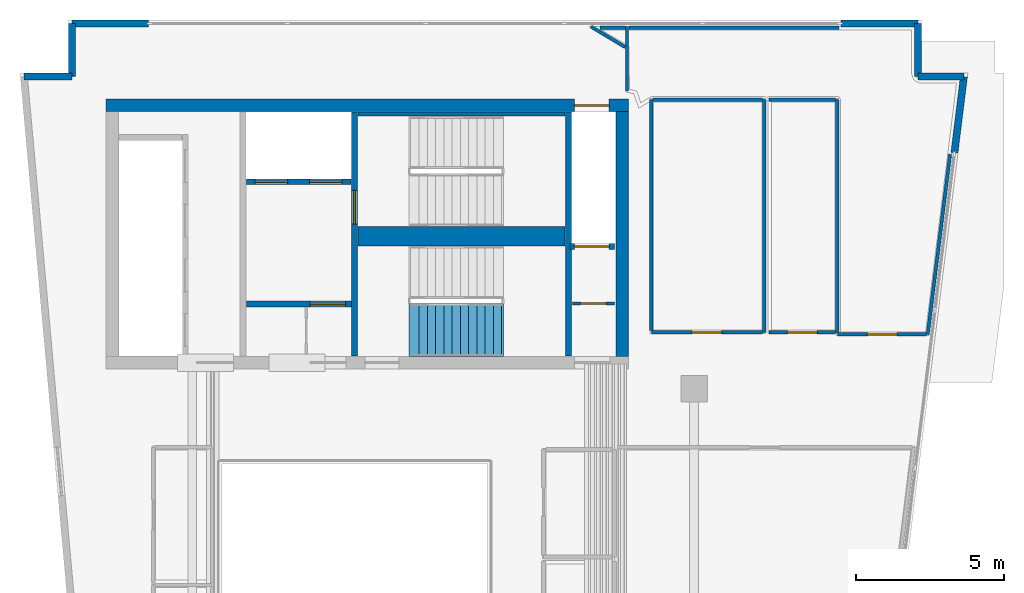
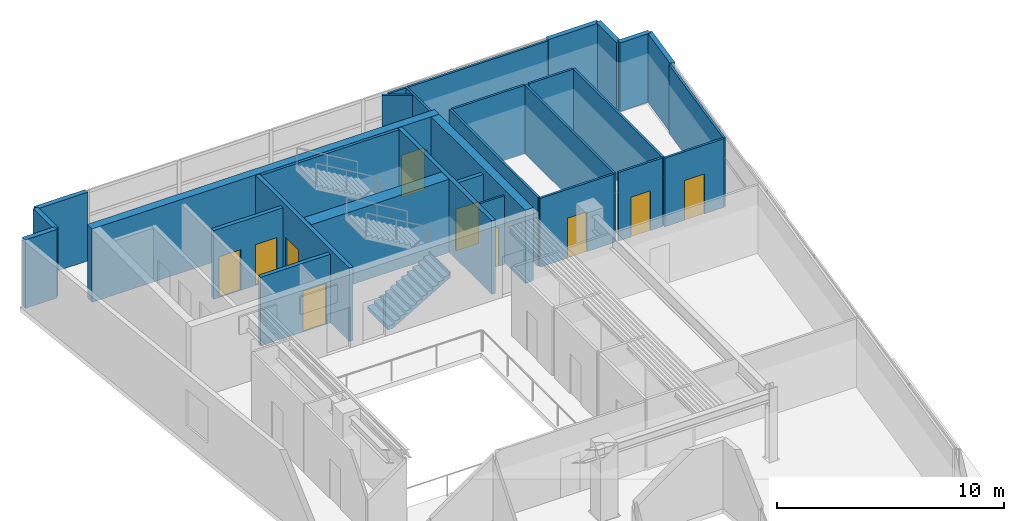
# One storey, part 5 of 8: 30 walls, 10 doors, 1 stair flight, 10 openings, 1 element without a shape of its own.
"""IFC4 building model written with IfcOpenShell, lengths in metres."""

from ifc_helpers import new_model, si_unit, direction, frame, frame_2d, origin, place, context, subcontext, project, spatial, polyline, rectangle, outline, extrude, material, layer, layer_set, type_object, element, fill, aggregate, save


model = new_model("IFC4")

# Units and contexts
model_context = context("Model", 3, precision=1e-05, world=origin(), true_north=direction((0.0, 1.0)))
body_context = subcontext(model_context, "Body", "Model", "MODEL_VIEW")
ifc_project = project(units=[si_unit("LENGTHUNIT", "METRE"), si_unit("AREAUNIT", "SQUARE_METRE"), si_unit("VOLUMEUNIT", "CUBIC_METRE"), si_unit("PLANEANGLEUNIT", "RADIAN"), si_unit("MASSUNIT", "GRAM", prefix="KILO")], contexts=[model_context])

# Site, building, storey
site_placement = place(None, origin())
site = spatial("IfcSite", under=ifc_project, at=site_placement, CompositionType="ELEMENT")
building_placement = place(site_placement, origin())
building = spatial("IfcBuilding", under=site, at=building_placement, Name="Caeloran Harvest Quay", CompositionType="ELEMENT")
storey_placement = place(building_placement, frame((0.0, 0.0, 256.699951171875)))
storey = spatial("IfcBuildingStorey", under=building, at=storey_placement, Name="L61", CompositionType="ELEMENT", Elevation=256.699951171875)

# Walls
ifc_material_1 = material(Name="Precast concrete C50/60", Category="concrete")
ifc_layer_1 = layer(ifc_material_1, 0.239990234375, Name="Precast concrete C50/60")
ifc_layer_set_1 = layer_set([ifc_layer_1], Name="Precast concrete C50/60")
wall_type_1 = type_object("IfcWallType", Name="ENV-WALL-EW-240", PredefinedType="STANDARD", material=ifc_layer_set_1)
wall_1_placement = place(storey_placement, frame((2.793212890625, 41.580078125, 0.0), z_axis=(0.0, 0.0, 1.0), x_axis=(1.0, 0.0, 0.0)))
element("IfcWall", 1, at=wall_1_placement, inside=storey, type_object=wall_type_1, Name="L61 Exterior Precast Concrete Facade Wall 4", PredefinedType="STANDARD", context=body_context, shape_type="SweptSolid", body=[
    extrude(rectangle(XDim=1.626708984375, YDim=0.239990234375, at=frame_2d((0.8134765625, 0.0))), origin(), (0.0, 0.0, 1.0), 3.699951171875),
])
wall_2_placement = place(storey_placement, frame((4.419921875, 41.580078125, 0.0), z_axis=(0.0, 0.0, 1.0), x_axis=(0.0, 1.0, 0.0)))
element("IfcWall", 2, at=wall_2_placement, inside=storey, type_object=wall_type_1, Name="L61 Exterior Precast Concrete Facade Wall 5", PredefinedType="STANDARD", context=body_context, shape_type="SweptSolid", body=[
    extrude(rectangle(XDim=1.7998046875, YDim=0.239990234375, at=frame_2d((0.89990234375, 0.0))), origin(), (0.0, 0.0, 1.0), 3.699951171875),
])
for number, where, z_axis, x_axis, name in (
    (3, (4.419921875, 43.3798828125, 0.0), (0.0, 0.0, 1.0), (1.0, 0.0, 0.0), "L61 Exterior Facade Corner Pier Wall 6A"),
    (4, (30.47998046875, 43.3798828125, 0.0), (0.0, 0.0, 1.0), (1.0, 0.0, 0.0), "L61 Exterior Facade Corner Pier Wall 6B"),
):
    element("IfcWall", number, at=place(storey_placement, frame(where, z_axis=z_axis, x_axis=x_axis)), inside=storey, type_object=wall_type_1, Name=name, PredefinedType="STANDARD", context=body_context, shape_type="SweptSolid", body=[
        extrude(rectangle(XDim=2.60009765625, YDim=0.239990234375, at=frame_2d((1.300048828125, 0.0))), origin(), (0.0, 0.0, 1.0), 3.699951171875),
    ])
wall_3_placement = place(storey_placement, frame((33.080078125, 43.3798828125, 0.0), z_axis=(0.0, 0.0, 1.0), x_axis=(0.0, -1.0, 0.0)))
element("IfcWall", 5, at=wall_3_placement, inside=storey, type_object=wall_type_1, Name="L61 Exterior Precast Concrete Facade Wall 7", PredefinedType="STANDARD", context=body_context, shape_type="SweptSolid", body=[
    extrude(rectangle(XDim=1.7998046875, YDim=0.239990234375, at=frame_2d((0.89990234375, 0.0))), origin(), (0.0, 0.0, 1.0), 3.699951171875),
])
wall_4_placement = place(storey_placement, frame((33.080078125, 41.580078125, 0.0), z_axis=(0.0, 0.0, 1.0), x_axis=(1.0, 0.0, 0.0)))
element("IfcWall", 6, at=wall_4_placement, inside=storey, type_object=wall_type_1, Name="L61 Exterior Precast Concrete Facade Wall 8", PredefinedType="STANDARD", context=body_context, shape_type="SweptSolid", body=[
    extrude(rectangle(XDim=1.560791015625, YDim=0.239990234375, at=frame_2d((0.7802734375, 0.0))), origin(), (0.0, 0.0, 1.0), 3.699951171875),
])
wall_5_placement = place(storey_placement, frame((34.640869140625, 41.580078125, 0.0), z_axis=(0.0, 0.0, 1.0), x_axis=(-0.123191073593, -0.992382970121, 0.0)))
element("IfcWall", 7, at=wall_5_placement, inside=storey, type_object=wall_type_1, Name="L61 Exterior Facade Corner Pier Wall 9A", PredefinedType="STANDARD", context=body_context, shape_type="SweptSolid", body=[
    extrude(rectangle(XDim=2.60009765625, YDim=0.239990234375, at=frame_2d((1.300048828125, 0.0))), origin(), (0.0, 0.0, 1.0), 3.699951171875),
])

# Wall, opening, door
ifc_material_2 = material(Name="Fire-Resisting Gypsum Core Riser Partition", Category="gypsum")
ifc_layer_2 = layer(ifc_material_2, 0.10009765625, Name="Fire-Resisting Gypsum Core Riser Partition")
ifc_layer_set_2 = layer_set([ifc_layer_2], Name="Fire-Resisting Gypsum Core Riser Partition")
wall_type_2 = type_object("IfcWallType", Name="INT-WALL-PW-100", PredefinedType="PARTITIONING", material=ifc_layer_set_2)
wall_6_placement = place(storey_placement, frame((21.3798828125, 33.889892578125, 0.0), z_axis=(0.0, 0.0, 1.0), x_axis=(1.0, 0.0, 0.0)))
wall_6 = element("IfcWall", 8, at=wall_6_placement, inside=storey, type_object=wall_type_2, Name="L61 Cleaner Store Partition Wall", PredefinedType="PARTITIONING", context=body_context, shape_type="SweptSolid", body=[
    extrude(rectangle(XDim=1.420166015625, YDim=0.10009765625, at=frame_2d((0.7099609375, 0.0))), origin(), (0.0, 0.0, 1.0), 3.699951171875),
])
opening_1_placement = place(wall_6_placement, frame((0.280029296875, 0.0, 0.0)))
opening_1 = element("IfcOpeningElement", 9, at=opening_1_placement, cuts=wall_6, Name="Opening SV-01", PredefinedType="OPENING", context=body_context, shape_type="SweptSolid", body=[
    extrude(rectangle(XDim=0.85009765625, YDim=2.10009765625, at=frame_2d((0.425048828125, 1.050048828125))), frame((0.0, 0.06005859375, 0.0), z_axis=(0.0, -1.0, 0.0), x_axis=(1.0, 0.0, 0.0)), (0.0, 0.0, 1.0), 0.1201171875),
])
ifc_material_3 = material(Name="Galvanized Painted Steel", Category="steel")
door_type_1 = type_object("IfcDoorType", Name="INTDOOR-SV-01", OperationType="NOTDEFINED", PredefinedType="DOOR", material=ifc_material_3)
door_1_placement = place(opening_1_placement, origin())
door_1 = element("IfcDoor", 10, at=door_1_placement, inside=storey, type_object=door_type_1, Name="L61 Cleaner Supply Store Access Door", OperationType="SINGLE_SWING_RIGHT", OverallHeight=2.10009765625, OverallWidth=0.85009765625, PredefinedType="DOOR", context=body_context, shape_type="SweptSolid", body=[
    extrude(rectangle(XDim=0.85009765625, YDim=2.10009765625, at=frame_2d((0.425048828125, 1.050048828125))), frame((0.0, 0.02490234375, 0.0), z_axis=(0.0, -1.0, 0.0), x_axis=(1.0, 0.0, 0.0)), (0.0, 0.0, 1.0), 0.050048828125),
])
fill(opening_1, door_1)

# Wall
ifc_material_4 = material(Name="Single-Stud Acoustic Gypsum Office Partition", Category="gypsum")
ifc_layer_3 = layer(ifc_material_4, 0.112060546875, Name="Single-Stud Acoustic Gypsum Office Partition")
ifc_layer_set_3 = layer_set([ifc_layer_3], Name="Single-Stud Acoustic Gypsum Office Partition")
wall_type_3 = type_object("IfcWallType", Name="INT-WALL-PW-112", PredefinedType="PARTITIONING", material=ifc_layer_set_3)
wall_7_placement = place(storey_placement, frame((27.8798828125, 40.800048828125, 0.0), z_axis=(0.0, 0.0, 1.0), x_axis=(0.0, -1.0, 0.0)))
element("IfcWall", 11, at=wall_7_placement, inside=storey, type_object=wall_type_3, Name="L61 Crop Phenotyping West Laboratory Partition Wall", PredefinedType="PARTITIONING", context=body_context, shape_type="SweptSolid", body=[
    extrude(rectangle(XDim=7.880126953125, YDim=0.112060546875, at=frame_2d((3.93994140625, 0.0))), origin(), (0.0, 0.0, 1.0), 3.699951171875),
])

# Wall, opening, door
wall_8_placement = place(storey_placement, frame((27.819091796875, 32.919921875, 0.0), z_axis=(0.0, 0.0, 1.0), x_axis=(-1.0, 0.0, 0.0)))
wall_8 = element("IfcWall", 12, at=wall_8_placement, inside=storey, type_object=wall_type_3, Name="L61 Crop Phenotyping West Laboratory Partition Wall", PredefinedType="PARTITIONING", context=body_context, shape_type="SweptSolid", body=[
    extrude(rectangle(XDim=3.76904296875, YDim=0.112060546875, at=frame_2d((1.884521484375, 0.0))), origin(), (0.0, 0.0, 1.0), 3.699951171875),
])
opening_2_placement = place(wall_8_placement, frame((1.384521484375, 0.0, 0.0)))
opening_2 = element("IfcOpeningElement", 13, at=opening_2_placement, cuts=wall_8, Name="Opening ID-01", PredefinedType="OPENING", context=body_context, shape_type="SweptSolid", body=[
    extrude(rectangle(XDim=1.0, YDim=2.14990234375, at=frame_2d((0.5, 1.074951171875))), frame((0.0, 0.06591796875, 0.0), z_axis=(0.0, -1.0, 0.0), x_axis=(1.0, 0.0, 0.0)), (0.0, 0.0, 1.0), 0.132080078125),
])
ifc_material_5 = material(Name="FSC Solid-Core Ash Timber and Acoustic Seal", Category="wood")
door_type_2 = type_object("IfcDoorType", Name="INTDOOR-ID-01", OperationType="NOTDEFINED", PredefinedType="DOOR", material=ifc_material_5)
door_2_placement = place(opening_2_placement, origin())
door_2 = element("IfcDoor", 14, at=door_2_placement, inside=storey, type_object=door_type_2, Name="L61 Crop Phenotyping West Laboratory Access Door", OperationType="SINGLE_SWING_RIGHT", OverallHeight=2.14990234375, OverallWidth=1.0, PredefinedType="DOOR", context=body_context, shape_type="SweptSolid", body=[
    extrude(rectangle(XDim=1.0, YDim=2.14990234375, at=frame_2d((0.5, 1.074951171875))), frame((0.0, 0.02490234375, 0.0), z_axis=(0.0, -1.0, 0.0), x_axis=(1.0, 0.0, 0.0)), (0.0, 0.0, 1.0), 0.050048828125),
])
fill(opening_2, door_2)

# Walls
wall_9_placement = place(storey_placement, frame((24.050048828125, 32.98095703125, 0.0), z_axis=(0.0, 0.0, 1.0), x_axis=(0.0, 1.0, 0.0)))
element("IfcWall", 15, at=wall_9_placement, inside=storey, type_object=wall_type_3, Name="L61 Crop Phenotyping West Laboratory Partition Wall", PredefinedType="PARTITIONING", context=body_context, shape_type="SweptSolid", body=[
    extrude(rectangle(XDim=7.819091796875, YDim=0.112060546875, at=frame_2d((3.90966796875, 0.0))), origin(), (0.0, 0.0, 1.0), 3.699951171875),
])
wall_10_placement = place(storey_placement, frame((24.111083984375, 40.800048828125, 0.0), z_axis=(0.0, 0.0, 1.0), x_axis=(1.0, 0.0, 0.0)))
element("IfcWall", 16, at=wall_10_placement, inside=storey, type_object=wall_type_3, Name="L61 Crop Phenotyping West Laboratory Partition Wall", PredefinedType="PARTITIONING", context=body_context, shape_type="SweptSolid", body=[
    extrude(rectangle(XDim=3.7080078125, YDim=0.112060546875, at=frame_2d((1.85400390625, 0.0))), origin(), (0.0, 0.0, 1.0), 3.699951171875),
])
wall_11_placement = place(storey_placement, frame((30.35009765625, 40.800048828125, 0.0), z_axis=(0.0, 0.0, 1.0), x_axis=(0.0, -1.0, 0.0)))
element("IfcWall", 17, at=wall_11_placement, inside=storey, type_object=wall_type_3, Name="L61 Genomics Sequencing East Studio Partition Wall", PredefinedType="PARTITIONING", context=body_context, shape_type="SweptSolid", body=[
    extrude(rectangle(XDim=7.880126953125, YDim=0.112060546875, at=frame_2d((3.93994140625, 0.0))), origin(), (0.0, 0.0, 1.0), 3.699951171875),
])

# Wall, opening, door
wall_12_placement = place(storey_placement, frame((30.2890625, 32.919921875, 0.0), z_axis=(0.0, 0.0, 1.0), x_axis=(-1.0, 0.0, 0.0)))
wall_12 = element("IfcWall", 18, at=wall_12_placement, inside=storey, type_object=wall_type_3, Name="L61 Genomics Sequencing East Studio Partition Wall", PredefinedType="PARTITIONING", context=body_context, shape_type="SweptSolid", body=[
    extrude(rectangle(XDim=2.2490234375, YDim=0.112060546875, at=frame_2d((1.12451171875, 0.0))), origin(), (0.0, 0.0, 1.0), 3.699951171875),
])
opening_3_placement = place(wall_12_placement, frame((0.62451171875, 0.0, 0.0)))
opening_3 = element("IfcOpeningElement", 19, at=opening_3_placement, cuts=wall_12, Name="Opening ID-01", PredefinedType="OPENING", context=body_context, shape_type="SweptSolid", body=[
    extrude(rectangle(XDim=1.0, YDim=2.14990234375, at=frame_2d((0.5, 1.074951171875))), frame((0.0, 0.06591796875, 0.0), z_axis=(0.0, -1.0, 0.0), x_axis=(1.0, 0.0, 0.0)), (0.0, 0.0, 1.0), 0.132080078125),
])
door_3_placement = place(opening_3_placement, origin())
door_3 = element("IfcDoor", 20, at=door_3_placement, inside=storey, type_object=door_type_2, Name="L61 Genomics Sequencing East Studio Access Door", OperationType="SINGLE_SWING_LEFT", OverallHeight=2.14990234375, OverallWidth=1.0, PredefinedType="DOOR", context=body_context, shape_type="SweptSolid", body=[
    extrude(rectangle(XDim=1.0, YDim=2.14990234375, at=frame_2d((0.5, 1.074951171875))), frame((0.0, 0.02490234375, 0.0), z_axis=(0.0, -1.0, 0.0), x_axis=(1.0, 0.0, 0.0)), (0.0, 0.0, 1.0), 0.050048828125),
])
fill(opening_3, door_3)

# Walls
wall_13_placement = place(storey_placement, frame((28.0400390625, 40.800048828125, 0.0), z_axis=(0.0, 0.0, 1.0), x_axis=(1.0, 0.0, 0.0)))
element("IfcWall", 21, at=wall_13_placement, inside=storey, type_object=wall_type_3, Name="L61 Genomics Sequencing East Studio Partition Wall", PredefinedType="PARTITIONING", context=body_context, shape_type="SweptSolid", body=[
    extrude(rectangle(XDim=2.2490234375, YDim=0.112060546875, at=frame_2d((1.12451171875, 0.0))), origin(), (0.0, 0.0, 1.0), 3.699951171875),
])
wall_14_placement = place(storey_placement, frame((23.22998046875, 41.093017578125, 0.0), z_axis=(0.0, 0.0, 1.0), x_axis=(0.0, 1.0, 0.0)))
element("IfcWall", 22, at=wall_14_placement, inside=storey, type_object=wall_type_3, Name="Private Dining Kitchen Partition Wall", PredefinedType="PARTITIONING", context=body_context, shape_type="SweptSolid", body=[
    extrude(rectangle(XDim=2.181884765625, YDim=0.112060546875, at=frame_2d((1.0908203125, 0.0))), origin(), (0.0, 0.0, 1.0), 3.699951171875),
])
wall_15_placement = place(storey_placement, frame((23.1689453125, 42.580078125, 0.0), z_axis=(0.0, 0.0, 1.0), x_axis=(-0.857763736618, 0.514044134431, 0.0)))
element("IfcWall", 23, at=wall_15_placement, inside=storey, type_object=wall_type_3, Name="Private Dining Kitchen Partition Wall", PredefinedType="PARTITIONING", context=body_context, shape_type="SweptSolid", body=[
    extrude(rectangle(XDim=1.3515625, YDim=0.112060546875, at=frame_2d((0.67578125, 0.0))), origin(), (0.0, 0.0, 1.0), 3.699951171875),
])
wall_16_placement = place(storey_placement, frame((22.30908203125, 43.239990234375, 0.0), z_axis=(0.0, 0.0, 1.0), x_axis=(1.0, 0.0, 0.0)))
element("IfcWall", 24, at=wall_16_placement, inside=storey, type_object=wall_type_3, Name="Private Dining Kitchen Partition Wall", PredefinedType="PARTITIONING", context=body_context, shape_type="SweptSolid", body=[
    extrude(rectangle(XDim=0.85986328125, YDim=0.112060546875, at=frame_2d((0.429931640625, 0.0))), origin(), (0.0, 0.0, 1.0), 3.699951171875),
])
wall_17_placement = place(storey_placement, frame((23.291015625, 43.239990234375, 0.0), z_axis=(0.0, 0.0, 1.0), x_axis=(1.0, 0.0, 0.0)))
element("IfcWall", 25, at=wall_17_placement, inside=storey, type_object=wall_type_3, Name="Private Dining Kitchen Partition Wall", PredefinedType="PARTITIONING", context=body_context, shape_type="SweptSolid", body=[
    extrude(rectangle(XDim=7.1240234375, YDim=0.112060546875, at=frame_2d((3.56201171875, 0.0))), origin(), (0.0, 0.0, 1.0), 3.699951171875),
])
wall_18_placement = place(storey_placement, frame((34.17333984375, 38.95263671875, 0.0), z_axis=(0.0, 0.0, 1.0), x_axis=(-0.123155137196, -0.992387430484, 0.0)))
element("IfcWall", 26, at=wall_18_placement, inside=storey, type_object=wall_type_3, Name="Private Dining Kitchen Partition Wall", PredefinedType="PARTITIONING", context=body_context, shape_type="SweptSolid", body=[
    extrude(rectangle(XDim=6.1494140625, YDim=0.112060546875, at=frame_2d((3.07470703125, 0.0))), origin(), (0.0, 0.0, 1.0), 3.699951171875),
])

# Wall, opening, door
wall_19_placement = place(storey_placement, frame((33.37548828125, 32.85009765625, 0.0), z_axis=(0.0, 0.0, 1.0), x_axis=(-1.0, 0.0, 0.0)))
wall_19 = element("IfcWall", 27, at=wall_19_placement, inside=storey, type_object=wall_type_3, Name="Private Dining Kitchen Partition Wall", PredefinedType="PARTITIONING", context=body_context, shape_type="SweptSolid", body=[
    extrude(rectangle(XDim=3.015380859375, YDim=0.112060546875, at=frame_2d((1.5078125, 0.0))), origin(), (0.0, 0.0, 1.0), 3.699951171875),
])
opening_4_placement = place(wall_19_placement, frame((1.0078125, 0.0, 0.0)))
opening_4 = element("IfcOpeningElement", 28, at=opening_4_placement, cuts=wall_19, Name="Opening ID-01", PredefinedType="OPENING", context=body_context, shape_type="SweptSolid", body=[
    extrude(rectangle(XDim=1.0, YDim=2.14990234375, at=frame_2d((0.5, 1.074951171875))), frame((0.0, 0.06591796875, 0.0), z_axis=(0.0, -1.0, 0.0), x_axis=(1.0, 0.0, 0.0)), (0.0, 0.0, 1.0), 0.132080078125),
])
door_4_placement = place(opening_4_placement, origin())
door_4 = element("IfcDoor", 29, at=door_4_placement, inside=storey, type_object=door_type_2, Name="Private Dining Kitchen Access Door", OperationType="SINGLE_SWING_RIGHT", OverallHeight=2.14990234375, OverallWidth=1.0, PredefinedType="DOOR", context=body_context, shape_type="SweptSolid", body=[
    extrude(rectangle(XDim=1.0, YDim=2.14990234375, at=frame_2d((0.5, 1.074951171875))), frame((0.0, 0.02490234375, 0.0), z_axis=(0.0, -1.0, 0.0), x_axis=(1.0, 0.0, 0.0)), (0.0, 0.0, 1.0), 0.050048828125),
])
fill(opening_4, door_4)

# Wall, openings, doors
ifc_material_6 = material(Name="Concrete C50/60", Category="concrete")
ifc_layer_4 = layer(ifc_material_6, 0.199951171875, Name="Concrete C50/60")
ifc_layer_set_4 = layer_set([ifc_layer_4], Name="Concrete C50/60")
wall_type_4 = type_object("IfcWallType", Name="INT-WALL-SW-200", PredefinedType="PARTITIONING", material=ifc_layer_set_4)
wall_20_placement = place(storey_placement, frame((10.340087890625, 38.02001953125, 0.0), z_axis=(0.0, 0.0, 1.0), x_axis=(1.0, 0.0, 0.0)))
wall_20 = element("IfcWall", 30, at=wall_20_placement, inside=storey, type_object=wall_type_4, Name="L61 Firefighting Lift Shaft Wall", PredefinedType="PARTITIONING", context=body_context, shape_type="SweptSolid", body=[
    extrude(rectangle(XDim=3.539794921875, YDim=0.199951171875, at=frame_2d((1.77001953125, 0.0))), origin(), (0.0, 0.0, 1.0), 3.699951171875),
])
opening_5_placement = place(wall_20_placement, frame((0.284912109375, 0.0, 0.0)))
opening_5 = element("IfcOpeningElement", 31, at=opening_5_placement, cuts=wall_20, Name="Opening LD-01", PredefinedType="OPENING", context=body_context, shape_type="SweptSolid", body=[
    extrude(rectangle(XDim=1.10009765625, YDim=2.199951171875, at=frame_2d((0.550048828125, 1.10009765625))), frame((0.0, 0.10986328125, 0.0), z_axis=(0.0, -1.0, 0.0), x_axis=(1.0, 0.0, 0.0)), (0.0, 0.0, 1.0), 0.219970703125),
])
opening_6_placement = place(wall_20_placement, frame((2.135009765625, 0.0, 0.0)))
opening_6 = element("IfcOpeningElement", 32, at=opening_6_placement, cuts=wall_20, Name="Opening LD-01", PredefinedType="OPENING", context=body_context, shape_type="SweptSolid", body=[
    extrude(rectangle(XDim=1.10009765625, YDim=2.199951171875, at=frame_2d((0.550048828125, 1.10009765625))), frame((0.0, 0.10986328125, 0.0), z_axis=(0.0, -1.0, 0.0), x_axis=(1.0, 0.0, 0.0)), (0.0, 0.0, 1.0), 0.219970703125),
])
ifc_material_7 = material(Name="Stainless Steel Grade 316", Category="steel")
door_type_3 = type_object("IfcDoorType", Name="INTDOOR-LD-01", OperationType="NOTDEFINED", PredefinedType="DOOR", material=ifc_material_7)
door_5_placement = place(opening_5_placement, origin())
door_5 = element("IfcDoor", 33, at=door_5_placement, inside=storey, type_object=door_type_3, Name="Lift FF-1 Sliding Landing Door (L61)", OperationType="DOUBLE_DOOR_SLIDING", OverallHeight=2.199951171875, OverallWidth=1.10009765625, PredefinedType="DOOR", context=body_context, shape_type="SweptSolid", body=[
    extrude(rectangle(XDim=1.10009765625, YDim=2.199951171875, at=frame_2d((0.550048828125, 1.10009765625))), frame((0.0, 0.02490234375, 0.0), z_axis=(0.0, -1.0, 0.0), x_axis=(1.0, 0.0, 0.0)), (0.0, 0.0, 1.0), 0.050048828125),
])
fill(opening_5, door_5)
door_6_placement = place(opening_6_placement, origin())
door_6 = element("IfcDoor", 34, at=door_6_placement, inside=storey, type_object=door_type_3, Name="Lift FF-2 Sliding Landing Door (L61)", OperationType="DOUBLE_DOOR_SLIDING", OverallHeight=2.199951171875, OverallWidth=1.10009765625, PredefinedType="DOOR", context=body_context, shape_type="SweptSolid", body=[
    extrude(rectangle(XDim=1.10009765625, YDim=2.199951171875, at=frame_2d((0.550048828125, 1.10009765625))), frame((0.0, 0.02490234375, 0.0), z_axis=(0.0, -1.0, 0.0), x_axis=(1.0, 0.0, 0.0)), (0.0, 0.0, 1.0), 0.050048828125),
])
fill(opening_6, door_6)

# Wall, opening, door
wall_21_placement = place(storey_placement, frame((10.340087890625, 33.8798828125, 0.0), z_axis=(0.0, 0.0, 1.0), x_axis=(1.0, 0.0, 0.0)))
wall_21 = element("IfcWall", 35, at=wall_21_placement, inside=storey, type_object=wall_type_4, Name="L61 Firefighting Lift Lobby Enclosure Wall", PredefinedType="PARTITIONING", context=body_context, shape_type="SweptSolid", body=[
    extrude(rectangle(XDim=3.559814453125, YDim=0.199951171875, at=frame_2d((1.77978515625, 0.0))), origin(), (0.0, 0.0, 1.0), 3.699951171875),
])
opening_7_placement = place(wall_21_placement, frame((2.14990234375, 0.0, 0.0)))
opening_7 = element("IfcOpeningElement", 36, at=opening_7_placement, cuts=wall_21, Name="Opening FD-01", PredefinedType="OPENING", context=body_context, shape_type="SweptSolid", body=[
    extrude(rectangle(XDim=1.199951171875, YDim=2.199951171875, at=frame_2d((0.60009765625, 1.10009765625))), frame((0.0, 0.10986328125, 0.0), z_axis=(0.0, -1.0, 0.0), x_axis=(1.0, 0.0, 0.0)), (0.0, 0.0, 1.0), 0.219970703125),
])
ifc_material_8 = material(Name="Steel", Category="steel")
door_type_4 = type_object("IfcDoorType", Name="INTDOOR-FD-01", OperationType="NOTDEFINED", PredefinedType="DOOR", material=ifc_material_8)
door_7_placement = place(opening_7_placement, origin())
door_7 = element("IfcDoor", 37, at=door_7_placement, inside=storey, type_object=door_type_4, Name="L61 Firefighting Lift Lobby Smoke-Seal Fire Door", OperationType="SINGLE_SWING_LEFT", OverallHeight=2.199951171875, OverallWidth=1.199951171875, PredefinedType="DOOR", context=body_context, shape_type="SweptSolid", body=[
    extrude(rectangle(XDim=1.199951171875, YDim=2.199951171875, at=frame_2d((0.60009765625, 1.10009765625))), frame((0.0, 0.02490234375, 0.0), z_axis=(0.0, -1.0, 0.0), x_axis=(1.0, 0.0, 0.0)), (0.0, 0.0, 1.0), 0.050048828125),
])
fill(opening_7, door_7)

wall_22_placement = place(storey_placement, frame((21.300048828125, 35.820068359375, 0.0), z_axis=(0.0, 0.0, 1.0), x_axis=(1.0, 0.0, 0.0)))
wall_22 = element("IfcWall", 38, at=wall_22_placement, inside=storey, type_object=wall_type_4, Name="L61 Service Lift SV-2 Shaft Wall", PredefinedType="PARTITIONING", context=body_context, shape_type="SweptSolid", body=[
    extrude(rectangle(XDim=1.5, YDim=0.199951171875, at=frame_2d((0.75, 0.0))), origin(), (0.0, 0.0, 1.0), 3.699951171875),
])
opening_8_placement = place(wall_22_placement, frame((0.14501953125, 0.0, 0.0)))
opening_8 = element("IfcOpeningElement", 39, at=opening_8_placement, cuts=wall_22, Name="Opening LD-02", PredefinedType="OPENING", context=body_context, shape_type="SweptSolid", body=[
    extrude(rectangle(XDim=1.179931640625, YDim=2.25, at=frame_2d((0.58984375, 1.125))), frame((0.0, 0.10986328125, 0.0), z_axis=(0.0, -1.0, 0.0), x_axis=(1.0, 0.0, 0.0)), (0.0, 0.0, 1.0), 0.219970703125),
])
door_type_5 = type_object("IfcDoorType", Name="INTDOOR-LD-02", OperationType="NOTDEFINED", PredefinedType="DOOR", material=ifc_material_7)
door_8_placement = place(opening_8_placement, origin())
door_8 = element("IfcDoor", 40, at=door_8_placement, inside=storey, type_object=door_type_5, Name="Lift SV-2 Sliding Landing Door (L61)", OperationType="DOUBLE_DOOR_SLIDING", OverallHeight=2.25, OverallWidth=1.179931640625, PredefinedType="DOOR", context=body_context, shape_type="SweptSolid", body=[
    extrude(rectangle(XDim=1.179931640625, YDim=2.25, at=frame_2d((0.58984375, 1.125))), frame((0.0, 0.02490234375, 0.0), z_axis=(0.0, -1.0, 0.0), x_axis=(1.0, 0.0, 0.0)), (0.0, 0.0, 1.0), 0.050048828125),
])
fill(opening_8, door_8)

ifc_material_9 = material(Name="Concrete C60/75", Category="concrete")
ifc_layer_5 = layer(ifc_material_9, 0.419921875, Name="Concrete C60/75")
ifc_layer_set_5 = layer_set([ifc_layer_5], Name="Concrete C60/75")
wall_type_5 = type_object("IfcWallType", Name="STR-WALL-CW-420", PredefinedType="SHEAR", material=ifc_layer_set_5)
wall_23_placement = place(storey_placement, frame((5.580078125, 40.610107421875, 0.0), z_axis=(0.0, 0.0, 1.0), x_axis=(1.0, 0.0, 0.0)))
wall_23 = element("IfcWall", 41, at=wall_23_placement, inside=storey, type_object=wall_type_5, Name="L61 Rear Core Shear Wall N", PredefinedType="SHEAR", context=body_context, shape_type="SweptSolid", body=[
    extrude(rectangle(XDim=17.68994140625, YDim=0.419921875, at=frame_2d((8.844970703125, 0.0))), origin(), (0.0, 0.0, 1.0), 3.949951171875),
])
opening_9_placement = place(wall_23_placement, frame((15.864990234375, 0.0, 0.0)))
opening_9 = element("IfcOpeningElement", 42, at=opening_9_placement, cuts=wall_23, Name="Opening LD-02", PredefinedType="OPENING", context=body_context, shape_type="SweptSolid", body=[
    extrude(rectangle(XDim=1.179931640625, YDim=2.25, at=frame_2d((0.58984375, 1.125))), frame((0.0, 0.219970703125, 0.0), z_axis=(0.0, -1.0, 0.0), x_axis=(1.0, 0.0, 0.0)), (0.0, 0.0, 1.0), 0.43994140625),
])
door_9_placement = place(opening_9_placement, origin())
door_9 = element("IfcDoor", 43, at=door_9_placement, inside=storey, type_object=door_type_5, Name="Lift SV-1 Sliding Landing Door (L61)", OperationType="DOUBLE_DOOR_SLIDING", OverallHeight=2.25, OverallWidth=1.179931640625, PredefinedType="DOOR", context=body_context, shape_type="SweptSolid", body=[
    extrude(rectangle(XDim=1.179931640625, YDim=2.25, at=frame_2d((0.58984375, 1.125))), frame((0.0, 0.02490234375, 0.0), z_axis=(0.0, -1.0, 0.0), x_axis=(1.0, 0.0, 0.0)), (0.0, 0.0, 1.0), 0.050048828125),
])
fill(opening_9, door_9)

# Walls
wall_24_placement = place(storey_placement, frame((23.06005859375, 32.10009765625, 0.0), z_axis=(0.0, 0.0, 1.0), x_axis=(0.0, 1.0, 0.0)))
element("IfcWall", 44, at=wall_24_placement, inside=storey, type_object=wall_type_5, Name="L61 Rear Core Shear Wall E", PredefinedType="SHEAR", context=body_context, shape_type="SweptSolid", body=[
    extrude(rectangle(XDim=8.2998046875, YDim=0.419921875, at=frame_2d((4.14990234375, 0.0))), origin(), (0.0, 0.0, 1.0), 3.949951171875),
])
ifc_layer_6 = layer(ifc_material_9, 0.64990234375, Name="Concrete C60/75")
ifc_layer_set_6 = layer_set([ifc_layer_6], Name="Concrete C60/75")
wall_type_6 = type_object("IfcWallType", Name="STR-WALL-CW-650", PredefinedType="SHEAR", material=ifc_layer_set_6)
wall_25_placement = place(storey_placement, frame((14.1201171875, 36.175048828125, 0.0), z_axis=(0.0, 0.0, 1.0), x_axis=(1.0, 0.0, 0.0)))
element("IfcWall", 45, at=wall_25_placement, inside=storey, type_object=wall_type_6, Name="L61 Core Stairs Dividing Shear Wall", PredefinedType="SHEAR", context=body_context, shape_type="SweptSolid", body=[
    extrude(rectangle(XDim=7.009765625, YDim=0.64990234375, at=frame_2d((3.5048828125, 0.0))), origin(), (0.0, 0.0, 1.0), 3.949951171875),
])
ifc_layer_7 = layer(ifc_material_9, 0.139892578125, Name="Concrete C60/75")
ifc_layer_set_7 = layer_set([ifc_layer_7], Name="Concrete C60/75")
wall_type_7 = type_object("IfcWallType", Name="STR-WALL-SW-140", PredefinedType="SHEAR", material=ifc_layer_set_7)
wall_26_placement = place(storey_placement, frame((14.1201171875, 40.320068359375, 0.0), z_axis=(0.0, 0.0, 1.0), x_axis=(1.0, 0.0, 0.0)))
element("IfcWall", 46, at=wall_26_placement, inside=storey, type_object=wall_type_7, Name="L61 Core Stair ST-C1 North Bearing Shear Wall", PredefinedType="SHEAR", context=body_context, shape_type="SweptSolid", body=[
    extrude(rectangle(XDim=7.009765625, YDim=0.139892578125, at=frame_2d((3.5048828125, 0.0))), origin(), (0.0, 0.0, 1.0), 3.949951171875),
])

# Wall, opening, door
ifc_layer_8 = layer(ifc_material_9, 0.199951171875, Name="Concrete C60/75")
ifc_layer_set_8 = layer_set([ifc_layer_8], Name="Concrete C60/75")
wall_type_8 = type_object("IfcWallType", Name="STR-WALL-SW-200", PredefinedType="SHEAR", material=ifc_layer_set_8)
wall_27_placement = place(storey_placement, frame((14.0, 32.1201171875, 0.0), z_axis=(0.0, 0.0, 1.0), x_axis=(0.0, 1.0, 0.0)))
wall_27 = element("IfcWall", 47, at=wall_27_placement, inside=storey, type_object=wall_type_8, Name="L61 Core Stair Shaft West Shear Wall", PredefinedType="SHEAR", context=body_context, shape_type="SweptSolid", body=[
    extrude(rectangle(XDim=8.259765625, YDim=0.199951171875, at=frame_2d((4.1298828125, 0.0))), origin(), (0.0, 0.0, 1.0), 3.949951171875),
])
opening_10_placement = place(wall_27_placement, frame((4.4599609375, 0.0, 0.0)))
opening_10 = element("IfcOpeningElement", 48, at=opening_10_placement, cuts=wall_27, Name="Opening SD-01", PredefinedType="OPENING", context=body_context, shape_type="SweptSolid", body=[
    extrude(rectangle(XDim=1.14990234375, YDim=2.199951171875, at=frame_2d((0.574951171875, 1.10009765625))), frame((0.0, 0.10986328125, 0.0), z_axis=(0.0, -1.0, 0.0), x_axis=(1.0, 0.0, 0.0)), (0.0, 0.0, 1.0), 0.219970703125),
])
door_type_6 = type_object("IfcDoorType", Name="INTDOOR-SD-01", OperationType="NOTDEFINED", PredefinedType="DOOR", material=ifc_material_8)
door_10_placement = place(opening_10_placement, origin())
door_10 = element("IfcDoor", 49, at=door_10_placement, inside=storey, type_object=door_type_6, Name="L61 Protected Stair ST-C1 Exit Door", OperationType="SINGLE_SWING_LEFT", OverallHeight=2.199951171875, OverallWidth=1.14990234375, PredefinedType="DOOR", context=body_context, shape_type="SweptSolid", body=[
    extrude(rectangle(XDim=1.14990234375, YDim=2.199951171875, at=frame_2d((0.574951171875, 1.10009765625))), frame((0.0, 0.02490234375, 0.0), z_axis=(0.0, -1.0, 0.0), x_axis=(1.0, 0.0, 0.0)), (0.0, 0.0, 1.0), 0.050048828125),
])
fill(opening_10, door_10)

# Wall
wall_28_placement = place(storey_placement, frame((21.25, 32.1201171875, 0.0), z_axis=(0.0, 0.0, 1.0), x_axis=(0.0, 1.0, 0.0)))
element("IfcWall", 50, at=wall_28_placement, inside=storey, type_object=wall_type_8, Name="L61 Core Stair Shaft East Shear Wall", PredefinedType="SHEAR", context=body_context, shape_type="SweptSolid", body=[
    extrude(rectangle(XDim=8.259765625, YDim=0.199951171875, at=frame_2d((4.1298828125, 0.0))), origin(), (0.0, 0.0, 1.0), 3.949951171875),
])

# Stair, stair flight
stair_type = type_object("IfcStairType", Name="STAIR-STC-180", PredefinedType="HALF_TURN_STAIR", material=ifc_material_6)
stair_placement = place(storey_placement, origin())
stair = element("IfcStair", 51, at=stair_placement, inside=storey, type_object=stair_type, Name="L61 Core Pressurized Exit Stair ST-C2", PredefinedType="HALF_TURN_STAIR")
stair_flight_type = type_object("IfcStairFlightType", Name="FLIGHT-STC-180", PredefinedType="STRAIGHT", material=ifc_material_6)
stair_flight_placement = place(storey_placement, frame((15.89990234375, 33.0, 0.0), z_axis=(0.0, 0.0, 1.0), x_axis=(1.0, 0.0, 0.0)))
stair_flight = element("IfcStairFlight", 52, at=stair_flight_placement, type_object=stair_flight_type, Name="ST-C2 flight 1", NumberOfRisers=12, NumberOfTreads=11, PredefinedType="STRAIGHT", RiserHeight=0.164583333, TreadLength=0.28, context=body_context, shape_type="SweptSolid", body=[
    extrude(outline(polyline([(-0.054931640625, -0.044921875), (-0.054931640625, -0.031982421875), (-0.054931640625, -0.018798828125), (-0.054931640625, -0.005615234375), (-0.054931640625, 0.00732421875), (-0.054931640625, 0.0205078125), (-0.054931640625, 0.03369140625), (-0.054931640625, 0.046630859375), (-0.054931640625, 0.059814453125), (-0.054931640625, 0.072998046875), (-0.054931640625, 0.0859375), (-0.054931640625, 0.09912109375), (-0.054931640625, 0.1123046875), (-0.054931640625, 0.125244140625), (-0.054931640625, 0.138427734375), (-0.054931640625, 0.1513671875), (-0.054931640625, 0.16455078125), (0.280029296875, 0.16455078125), (0.280029296875, 0.3291015625), (0.56005859375, 0.3291015625), (0.56005859375, 0.49365234375), (0.840087890625, 0.49365234375), (0.840087890625, 0.658447265625), (1.1201171875, 0.658447265625), (1.1201171875, 0.822998046875), (1.39990234375, 0.822998046875), (1.39990234375, 0.987548828125), (1.679931640625, 0.987548828125), (1.679931640625, 1.152099609375), (1.9599609375, 1.152099609375), (1.9599609375, 1.316650390625), (2.239990234375, 1.316650390625), (2.239990234375, 1.481201171875), (2.52001953125, 1.481201171875), (2.52001953125, 1.645751953125), (2.800048828125, 1.645751953125), (2.800048828125, 1.810302734375), (3.080078125, 1.810302734375), (3.080078125, 1.97509765625), (3.135009765625, 1.97509765625), (3.135009765625, 1.953857421875), (3.135009765625, 1.9326171875), (3.135009765625, 1.91162109375), (3.135009765625, 1.890380859375), (3.135009765625, 1.869140625), (3.135009765625, 1.84814453125), (3.135009765625, 1.826904296875), (3.135009765625, 1.8056640625), (3.135009765625, 1.78466796875), (3.135009765625, 1.763427734375), (3.135009765625, 1.7421875), (3.135009765625, 1.72119140625), (3.135009765625, 1.699951171875), (3.135009765625, 1.678955078125), (3.135009765625, 1.65771484375), (3.135009765625, 1.636474609375), (3.080078125, 1.636474609375), (0.21923828125, -0.044921875), (-0.054931640625, -0.044921875)])), frame((0.0, 0.89990234375, 0.0), z_axis=(0.0, -1.0, 0.0), x_axis=(1.0, 0.0, 0.0)), (0.0, 0.0, 1.0), 1.800048828125),
])
aggregate(stair, [stair_flight])

save(model, "model.ifc")
